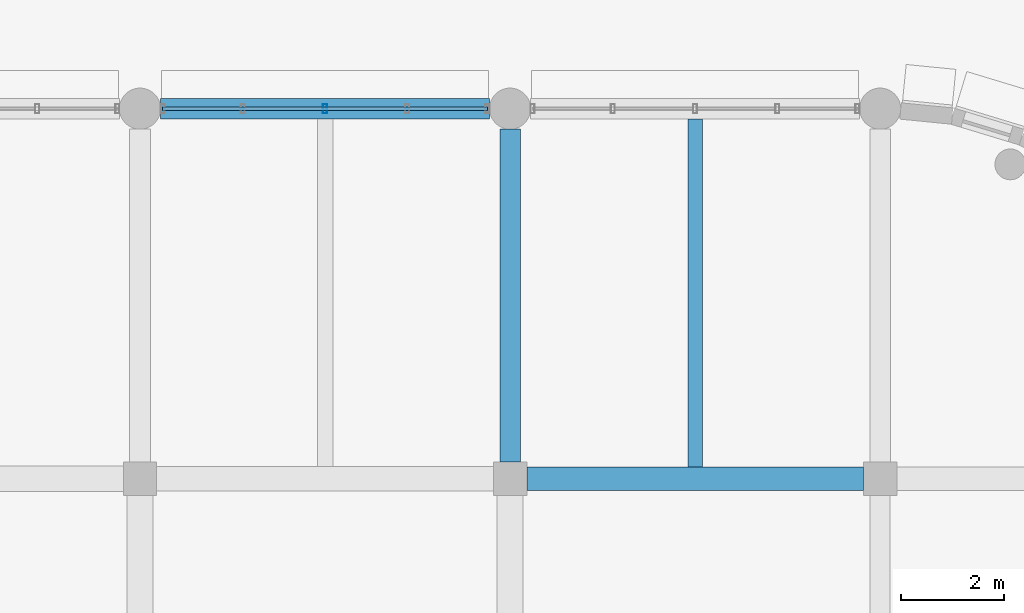
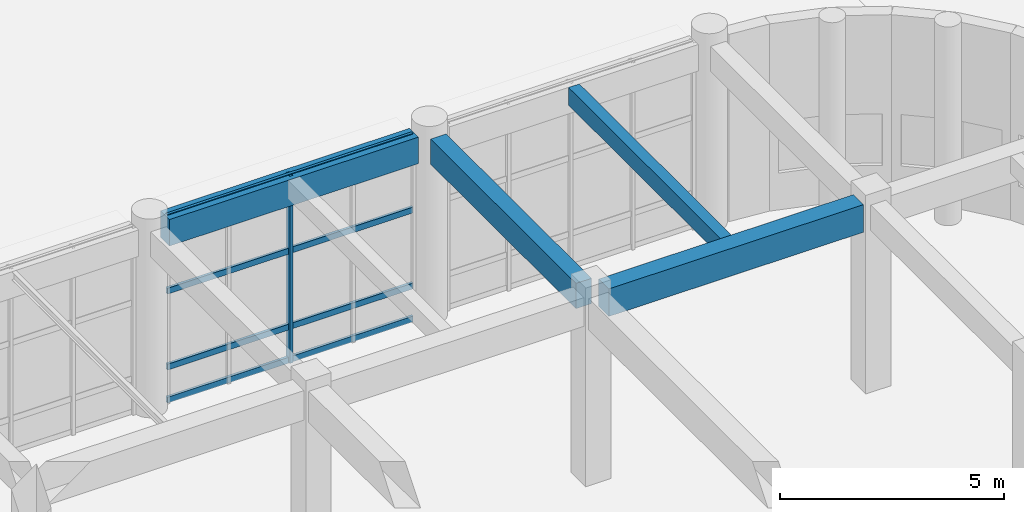
# One storey, part 70 of 160: 5 members, 4 beams, 1 element without a shape of its own.
"""IFC4 building model written with IfcOpenShell, lengths in metres."""

from ifc_helpers import new_model, si_unit, direction, frame, origin, origin_2d, place, context, subcontext, project, spatial, rectangle, hollow_rectangle, extrude, material, material_profile, profile_set, type_object, element, aggregate, save


model = new_model("IFC4")

# Units and contexts
model_context = context("Model", 3, precision=1e-05, world=origin(), true_north=direction((0.0, 1.0)))
body_context = subcontext(model_context, "Body", "Model", "MODEL_VIEW")
ifc_project = project(units=[si_unit("LENGTHUNIT", "METRE"), si_unit("AREAUNIT", "SQUARE_METRE"), si_unit("VOLUMEUNIT", "CUBIC_METRE"), si_unit("PLANEANGLEUNIT", "RADIAN"), si_unit("MASSUNIT", "GRAM", prefix="KILO")], contexts=[model_context])

# Site, building, storey
site_placement = place(None, origin())
site = spatial("IfcSite", under=ifc_project, at=site_placement, CompositionType="ELEMENT")
building_placement = place(site_placement, origin())
building = spatial("IfcBuilding", under=site, at=building_placement, Name="Thalmaran Polytechnic", CompositionType="ELEMENT")
storey_placement = place(building_placement, origin())
storey = spatial("IfcBuildingStorey", under=building, at=storey_placement, Name="L00", CompositionType="ELEMENT", Elevation=0.0)

# Beams
ifc_material_1 = material(Name="Concrete C40/50", Category="concrete")
ifc_material_profile_1 = material_profile(ifc_material_1, rectangle(XDim=0.449951171875, YDim=0.75, at=origin_2d()), Name="RC 450x750")
ifc_profile_set_1 = profile_set([ifc_material_profile_1], Name="Concrete C40/50")
beam_type_1 = type_object("IfcBeamType", Name="BM-RC03", PredefinedType="BEAM", material=ifc_profile_set_1)
beam_1_placement = place(storey_placement, frame((79.52490234375, 64.800048828125, 4.715087890625), z_axis=(1.0, 0.0, 0.0), x_axis=(0.0, 1.0, 0.0)))
element("IfcBeam", 1, at=beam_1_placement, inside=storey, type_object=beam_type_1, Name="Grid Beam B03 L00 X(11,9)", PredefinedType="BEAM", context=body_context, shape_type="SweptSolid", body=[
    extrude(rectangle(XDim=0.449951171875, YDim=0.75, at=origin_2d()), origin(), (0.0, 0.0, 1.0), 6.550048828125),
])
ifc_material_profile_2 = material_profile(ifc_material_1, rectangle(XDim=0.39990234375, YDim=0.719970703125, at=origin_2d()), Name="RC 400x720")
ifc_profile_set_2 = profile_set([ifc_material_profile_2], Name="Concrete C40/50")
beam_type_2 = type_object("IfcBeamType", Name="BM-SP01", PredefinedType="SPANDREL", material=ifc_profile_set_2)
beam_2_placement = place(storey_placement, frame((72.39990234375, 72.0, 4.72998046875), z_axis=(1.0, 0.0, 0.0), x_axis=(0.0, 1.0, 0.0)))
element("IfcBeam", 2, at=beam_2_placement, inside=storey, type_object=beam_type_2, Name="Grid Beam SP01 L00 X(10,10)", PredefinedType="SPANDREL", context=body_context, shape_type="SweptSolid", body=[
    extrude(rectangle(XDim=0.39990234375, YDim=0.719970703125, at=origin_2d()), origin(), (0.0, 0.0, 1.0), 6.400146484375),
])
ifc_material_profile_3 = material_profile(ifc_material_1, rectangle(XDim=0.39990234375, YDim=0.68505859375, at=origin_2d()), Name="RC 400x685")
ifc_profile_set_3 = profile_set([ifc_material_profile_3], Name="Concrete C40/50")
beam_type_3 = type_object("IfcBeamType", Name="BM-ZB07", PredefinedType="BEAM", material=ifc_profile_set_3)
beam_3_placement = place(storey_placement, frame((79.199951171875, 65.125, 4.74755859375), z_axis=(0.0, 1.0, 0.0), x_axis=(-1.0, 0.0, 0.0)))
element("IfcBeam", 3, at=beam_3_placement, inside=storey, type_object=beam_type_3, Name="Grid Beam ZB07 L00 Y(11,9)", PredefinedType="BEAM", context=body_context, shape_type="SweptSolid", body=[
    extrude(rectangle(XDim=0.39990234375, YDim=0.68505859375, at=origin_2d()), origin(), (0.0, 0.0, 1.0), 6.47509765625),
])
ifc_material_profile_4 = material_profile(ifc_material_1, rectangle(XDim=0.280029296875, YDim=0.47998046875, at=origin_2d()), Name="RC 280x480")
ifc_profile_set_4 = profile_set([ifc_material_profile_4], Name="Concrete C40/50")
beam_type_4 = type_object("IfcBeamType", Name="BM-ZJ01", PredefinedType="JOIST", material=ifc_profile_set_4)
beam_4_placement = place(storey_placement, frame((82.800048828125, 65.02490234375, 4.85009765625), z_axis=(0.0, 1.0, 0.0), x_axis=(-1.0, 0.0, 0.0)))
element("IfcBeam", 4, at=beam_4_placement, inside=storey, type_object=beam_type_4, Name="Secondary Floor Rib ZJ01 L00 (11,9)", PredefinedType="JOIST", context=body_context, shape_type="SweptSolid", body=[
    extrude(rectangle(XDim=0.280029296875, YDim=0.47998046875, at=origin_2d()), origin(), (0.0, 0.0, 1.0), 6.775146484375),
])

# Curtain wall, members
ifc_material_2 = material(Name="Aluminium 6063-T6", Category="aluminium")
curtain_wall_type = type_object("IfcCurtainWallType", Name="CW-SC01", PredefinedType="USERDEFINED", material=ifc_material_2)
curtain_wall_placement = place(storey_placement, origin())
curtain_wall = element("IfcCurtainWall", 5, at=curtain_wall_placement, inside=storey, type_object=curtain_wall_type, Name="Curtain Wall CW-L00-033", ObjectType="STICK CURTAIN WALL", PredefinedType="USERDEFINED")
ifc_material_profile_5 = material_profile(ifc_material_2, hollow_rectangle(XDim=0.080078125, YDim=0.179931640625, WallThickness=0.0048828125, at=origin_2d()), Name="RHS 180x80x5.0")
ifc_profile_set_5 = profile_set([ifc_material_profile_5], Name="Aluminium 6063-T6")
member_type_1 = type_object("IfcMemberType", Name="CW-MUL1", PredefinedType="MULLION", material=ifc_profile_set_5)
member_1_placement = place(storey_placement, frame((75.60009765625, 72.0, 0.0), z_axis=(0.0, 0.0, 1.0), x_axis=(1.0, 0.0, 0.0)))
member_1 = element("IfcMember", 6, at=member_1_placement, type_object=member_type_1, Name="CW-L00-033 Mullion 3", PredefinedType="MULLION", context=body_context, shape_type="SweptSolid", body=[
    extrude(hollow_rectangle(XDim=0.080078125, YDim=0.179931640625, WallThickness=0.0048828125, at=origin_2d()), origin(), (0.0, 0.0, 1.0), 5.090087890625),
])
ifc_material_profile_6 = material_profile(ifc_material_2, hollow_rectangle(XDim=0.070068359375, YDim=0.159912109375, WallThickness=0.00390625, at=origin_2d()), Name="AL 160x70x4.0")
ifc_profile_set_6 = profile_set([ifc_material_profile_6], Name="Aluminium 6063-T6")
member_type_2 = type_object("IfcMemberType", Name="CW-TRN1", PredefinedType="USERDEFINED", material=ifc_profile_set_6)
member_2_placement = place(storey_placement, frame((72.43994140625, 72.0, 0.06005859375), z_axis=(1.0, 0.0, 0.0), x_axis=(0.0, 1.0, 0.0)))
member_2 = element("IfcMember", 7, at=member_2_placement, type_object=member_type_2, Name="CW-L00-033 Transom 1", ObjectType="TRANSOM", PredefinedType="USERDEFINED", context=body_context, shape_type="SweptSolid", body=[
    extrude(hollow_rectangle(XDim=0.070068359375, YDim=0.159912109375, WallThickness=0.00390625, at=origin_2d()), origin(), (0.0, 0.0, 1.0), 6.320068359375),
])
member_3_placement = place(storey_placement, frame((72.43994140625, 72.0, 0.9599609375), z_axis=(1.0, 0.0, 0.0), x_axis=(0.0, 1.0, 0.0)))
member_3 = element("IfcMember", 8, at=member_3_placement, type_object=member_type_2, Name="CW-L00-033 Transom 2", ObjectType="TRANSOM", PredefinedType="USERDEFINED", context=body_context, shape_type="SweptSolid", body=[
    extrude(hollow_rectangle(XDim=0.070068359375, YDim=0.159912109375, WallThickness=0.00390625, at=origin_2d()), origin(), (0.0, 0.0, 1.0), 6.320068359375),
])
member_4_placement = place(storey_placement, frame((72.43994140625, 72.0, 3.02490234375), z_axis=(1.0, 0.0, 0.0), x_axis=(0.0, 1.0, 0.0)))
member_4 = element("IfcMember", 9, at=member_4_placement, type_object=member_type_2, Name="CW-L00-033 Transom 3", ObjectType="TRANSOM", PredefinedType="USERDEFINED", context=body_context, shape_type="SweptSolid", body=[
    extrude(hollow_rectangle(XDim=0.070068359375, YDim=0.159912109375, WallThickness=0.00390625, at=origin_2d()), origin(), (0.0, 0.0, 1.0), 6.320068359375),
])
member_5_placement = place(storey_placement, frame((72.43994140625, 72.0, 5.030029296875), z_axis=(1.0, 0.0, 0.0), x_axis=(0.0, 1.0, 0.0)))
member_5 = element("IfcMember", 10, at=member_5_placement, type_object=member_type_2, Name="CW-L00-033 Transom 4", ObjectType="TRANSOM", PredefinedType="USERDEFINED", context=body_context, shape_type="SweptSolid", body=[
    extrude(hollow_rectangle(XDim=0.070068359375, YDim=0.159912109375, WallThickness=0.00390625, at=origin_2d()), origin(), (0.0, 0.0, 1.0), 6.320068359375),
])
aggregate(curtain_wall, [member_1, member_2, member_3, member_4, member_5])

save(model, "model.ifc")
